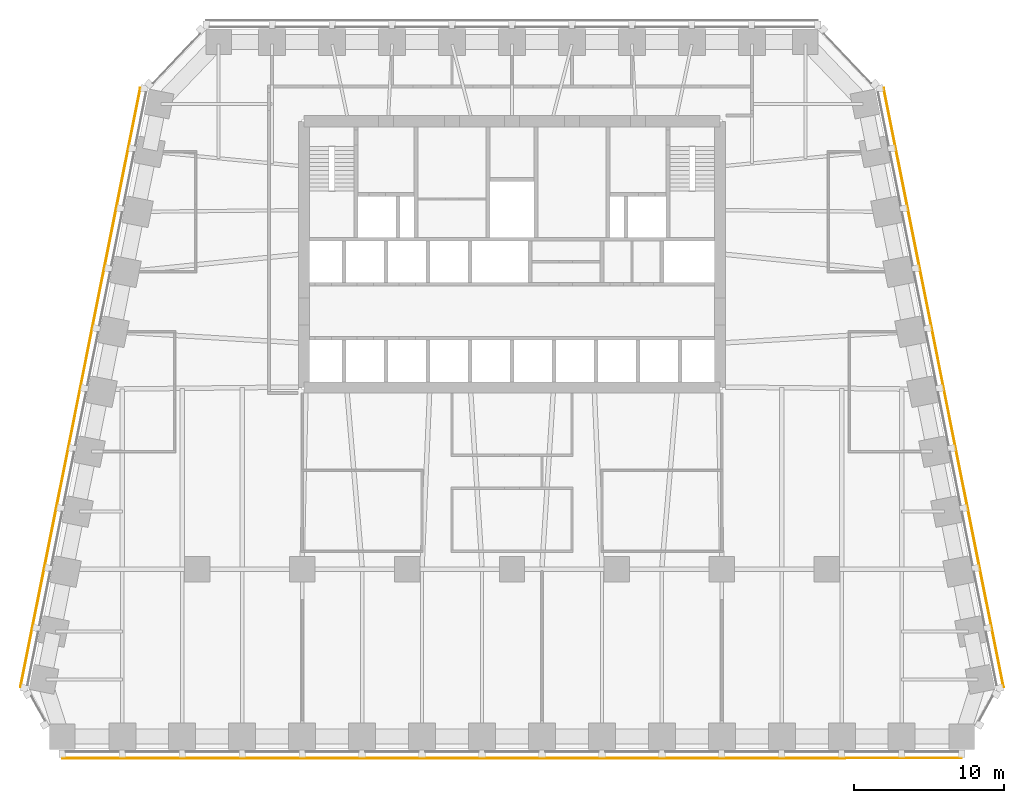
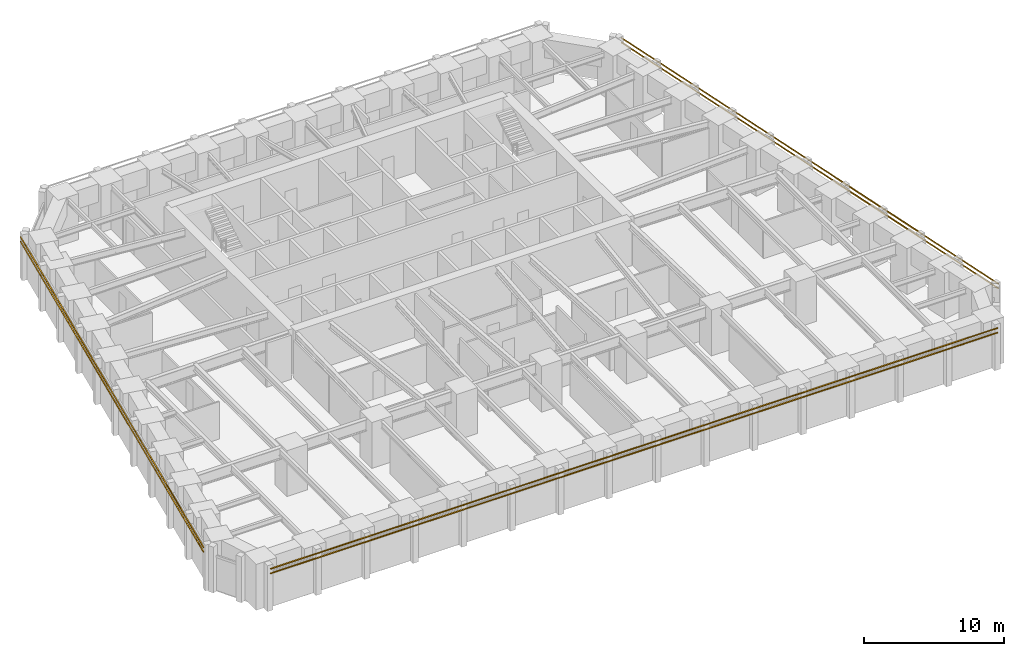
# One storey, part 9 of 10: 6 shading devices.
"""IFC4 building model written with IfcOpenShell, lengths in metres."""

import ifcopenshell
import ifcopenshell.guid

model = None  # the IFC model being written
_history = None  # IfcOwnerHistory: only IFC2X3 demands one
_inside = {}  # id of a spatial element -> (the spatial element, [elements in it])
_under = {}  # id of a project, library or spatial element -> (it, [spatial elements below it])
_declared = {}  # id of a project -> (the project, [libraries it declares])
_typed = {}  # id of a type object -> (the type object, [elements of that type])
_made_of = {}  # id of a material, layer set ... -> (it, [elements and type objects made of it])


def new_model(schema):
    """Start an empty IFC model of exactly this schema.

    Asked for "IFC4X3", IfcOpenShell would pick the latest addendum, in which some entities
    have other attributes; the version numbers below select the first issue.
    IFC2X3 requires an IfcOwnerHistory on every rooted entity: one is made here for all.
    """
    global model, _history
    if schema == "IFC4X3":
        model = ifcopenshell.file(schema_version=(4, 3, 0, 0))
    else:
        model = ifcopenshell.file(schema=schema)
    _inside.clear()
    _under.clear()
    _declared.clear()
    _typed.clear()
    _made_of.clear()
    _history = None
    if model.schema == "IFC2X3":
        org = make("IfcOrganization", Name="unknown")
        user = make(
            "IfcPersonAndOrganization",
            ThePerson=make("IfcPerson", FamilyName="unknown"),
            TheOrganization=org,
        )
        app = make(
            "IfcApplication",
            ApplicationDeveloper=org,
            Version="unknown",
            ApplicationFullName="unknown",
            ApplicationIdentifier="unknown",
        )
        _history = make(
            "IfcOwnerHistory",
            OwningUser=user,
            OwningApplication=app,
            ChangeAction="ADDED",
            CreationDate=0,
        )
    return model


def make(cls, **values):
    """One entity of the class cls with the attributes given. An attribute that is None is left unset."""
    return model.create_entity(
        cls, **{name: value for name, value in values.items() if value is not None}
    )


def rooted(cls, **values):
    """An entity with a GlobalId (a new one), such as an element, a storey or a relation."""
    return make(cls, GlobalId=ifcopenshell.guid.new(), OwnerHistory=_history, **values)


def si_unit(unit_type, name, prefix=None):
    """IfcSIUnit, for example si_unit("LENGTHUNIT", "METRE", prefix="MILLI")."""
    return make("IfcSIUnit", UnitType=unit_type, Prefix=prefix, Name=name)


def assignment(units):
    """IfcUnitAssignment: the units of a project."""
    return None if units is None else make("IfcUnitAssignment", Units=units)


def point(xyz):
    """IfcCartesianPoint."""
    return None if xyz is None else make("IfcCartesianPoint", Coordinates=xyz)


def direction(xyz):
    """IfcDirection."""
    return None if xyz is None else make("IfcDirection", DirectionRatios=xyz)


def frame(location, z_axis=None, x_axis=None):
    """IfcAxis2Placement3D, a coordinate frame: its origin and axes. An axis left out is left unset."""
    return make(
        "IfcAxis2Placement3D",
        Location=point(location),
        Axis=direction(z_axis),
        RefDirection=direction(x_axis),
    )


def frame_2d(location, x_axis=None):
    """IfcAxis2Placement2D, a coordinate frame in the plane: its origin and x axis."""
    return make(
        "IfcAxis2Placement2D", Location=point(location), RefDirection=direction(x_axis)
    )


def origin():
    """The frame at (0, 0, 0) with its axes left unset."""
    return frame((0.0, 0.0, 0.0))


def origin_2d():
    """The frame at (0, 0) in the plane with its x axis left unset."""
    return frame_2d((0.0, 0.0))


def place(relative_to, where):
    """IfcLocalPlacement: puts the frame where relative to a parent placement (None: the world)."""
    return make(
        "IfcLocalPlacement", PlacementRelTo=relative_to, RelativePlacement=where
    )


def context(
    kind, dimensions, precision=None, world=None, true_north=None, identifier=None
):
    """IfcGeometricRepresentationContext, for example the 3D "Model" context."""
    return make(
        "IfcGeometricRepresentationContext",
        ContextIdentifier=identifier,
        ContextType=kind,
        CoordinateSpaceDimension=dimensions,
        Precision=precision,
        WorldCoordinateSystem=world,
        TrueNorth=true_north,
    )


def subcontext(parent, identifier, kind, view, scale=None):
    """IfcGeometricRepresentationSubContext, for example "Body" below "Model"."""
    return make(
        "IfcGeometricRepresentationSubContext",
        ContextIdentifier=identifier,
        ContextType=kind,
        ParentContext=parent,
        TargetScale=scale,
        TargetView=view,
    )


def project(units=None, contexts=None):
    """IfcProject with its units and contexts."""
    return rooted(
        "IfcProject",
        Name="project",
        RepresentationContexts=contexts,
        UnitsInContext=assignment(units),
    )


def spatial(cls, under=None, at=None, **own):
    """A site, building, storey or space (cls), placed at a placement, below another one or the project."""
    s = rooted(cls, ObjectPlacement=at, **own)
    if under is not None:
        _under.setdefault(under.id(), (under, []))[1].append(s)
    return s


def profile(cls, at=None, kind="AREA", **sizes):
    """A parametric profile (cls). Its sizes go by their IFC names, for example OverallWidth=200.0."""
    return make(cls, ProfileType=kind, Position=at, **sizes)


def rectangle(**sizes):
    """IfcRectangleProfileDef."""
    return profile("IfcRectangleProfileDef", **sizes)


def extrude(swept, where, along, depth):
    """IfcExtrudedAreaSolid: the profile swept, set in the frame where, extruded along a direction by depth."""
    return make(
        "IfcExtrudedAreaSolid",
        SweptArea=swept,
        Position=where,
        ExtrudedDirection=direction(along),
        Depth=depth,
    )


def shape(context_of_items, identifier, shape_type, items):
    """IfcShapeRepresentation: the items that make up one representation, for example the "Body"."""
    return make(
        "IfcShapeRepresentation",
        ContextOfItems=context_of_items,
        RepresentationIdentifier=identifier,
        RepresentationType=shape_type,
        Items=items,
    )


def material(Name=None, Category=None):
    """IfcMaterial."""
    return make("IfcMaterial", Name=Name, Category=Category)


def material_profile(
    of_material, cross_section, Name=None, Category=None, Priority=None
):
    """IfcMaterialProfile: a cross section and its material."""
    return make(
        "IfcMaterialProfile",
        Name=Name,
        Material=of_material,
        Profile=cross_section,
        Priority=Priority,
        Category=Category,
    )


def profile_set(profiles, Name=None, composite=None):
    """IfcMaterialProfileSet."""
    return make(
        "IfcMaterialProfileSet",
        Name=Name,
        MaterialProfiles=profiles,
        CompositeProfile=composite,
    )


def made_of(thing, what):
    """Note that an element or type object is made of a material, layer set ...; save() writes the relation."""
    if what is not None:
        _made_of.setdefault(what.id(), (what, []))[1].append(thing)
    return thing


def type_object(cls, material=None, **own):
    """A type object (cls), such as IfcWallType, which elements share."""
    return made_of(rooted(cls, **own), material)


def element(
    cls,
    number,
    at=None,
    inside=None,
    cuts=None,
    type_object=None,
    material=None,
    context=None,
    identifier="Body",
    shape_type=None,
    held_by="IfcProductDefinitionShape",
    body=None,
    shapes=None,
    **own,
):
    """One element of the class cls, such as IfcWall. Its Tag is "e" and its number.

    at: its placement. inside: the storey or other place that contains it. cuts: it is an
    opening in that element (IfcRelVoidsElement). A single representation is given by context,
    identifier, shape_type and body (its items); several are given by shapes. held_by: the class
    of the entity that holds the representations. save() writes the other relations.
    """
    e = rooted(cls, Tag="e%d" % number, ObjectPlacement=at, **own)
    if body is not None:
        shapes = [shape(context, identifier, shape_type, body)]
    if shapes is not None:
        e.Representation = make(held_by, Representations=shapes)
    if inside is not None:
        _inside.setdefault(inside.id(), (inside, []))[1].append(e)
    if cuts is not None:
        rooted(
            "IfcRelVoidsElement", RelatingBuildingElement=cuts, RelatedOpeningElement=e
        )
    if type_object is not None:
        _typed.setdefault(type_object.id(), (type_object, []))[1].append(e)
    return made_of(e, material)


def aggregate(whole, parts):
    """IfcRelAggregates: a whole, such as a stair, and the parts it consists of."""
    return rooted("IfcRelAggregates", RelatingObject=whole, RelatedObjects=parts)


def save(model, path):
    """Write the relations noted so far, then the file.

    IfcRelAggregates (storeys below a building ...), IfcRelContainedInSpatialStructure (elements
    in a storey), IfcRelDefinesByType, IfcRelAssociatesMaterial and IfcRelDeclares: one each for
    every whole, place, type object, material and project.
    """
    for whole, parts in _under.values():
        aggregate(whole, parts)
    for where, things in _inside.values():
        rooted(
            "IfcRelContainedInSpatialStructure",
            RelatedElements=things,
            RelatingStructure=where,
        )
    for kind, things in _typed.values():
        rooted("IfcRelDefinesByType", RelatedObjects=things, RelatingType=kind)
    for what, things in _made_of.values():
        rooted("IfcRelAssociatesMaterial", RelatedObjects=things, RelatingMaterial=what)
    for by, libraries in _declared.values():
        rooted("IfcRelDeclares", RelatingContext=by, RelatedDefinitions=libraries)
    model.write(path)


model = new_model("IFC4")

# Units and contexts
model_context = context("Model", 3, precision=1e-05, world=origin(), true_north=direction((0.0, 1.0)))
body_context = subcontext(model_context, "Body", "Model", "MODEL_VIEW")
ifc_project = project(units=[si_unit("LENGTHUNIT", "METRE"), si_unit("AREAUNIT", "SQUARE_METRE"), si_unit("VOLUMEUNIT", "CUBIC_METRE"), si_unit("PLANEANGLEUNIT", "RADIAN"), si_unit("MASSUNIT", "GRAM", prefix="KILO")], contexts=[model_context])

# Site, building, storey
site_placement = place(None, origin())
site = spatial("IfcSite", under=ifc_project, at=site_placement, CompositionType="ELEMENT")
building_placement = place(site_placement, origin())
building = spatial("IfcBuilding", under=site, at=building_placement, Name="Isbrekke Arena Tower", CompositionType="ELEMENT")
storey_placement = place(building_placement, frame((0.0, 0.0, 147.0)))
storey = spatial("IfcBuildingStorey", under=building, at=storey_placement, Name="L33", CompositionType="ELEMENT", Elevation=147.0)

# Shading devices
ifc_material = material(Name="Terracotta", Category="masonry")
ifc_material_profile = material_profile(ifc_material, rectangle(XDim=0.06005859375, YDim=0.06005859375, at=origin_2d()), Name="BAGUETTE 60X60")
ifc_profile_set = profile_set([ifc_material_profile], Name="Terracotta")
shading_device_type = type_object("IfcShadingDeviceType", Name="BG1 TERRACOTTA BAGUETTE 60 x 60", PredefinedType="USERDEFINED", material=ifc_profile_set)
for number, where, z_axis, x_axis, name in (
    (1, (-30.0, -18.60498046875, 3.280029296875), (1.0, 0.0, 0.0), (0.0, 1.0, 0.0), "BG1 terracotta baguette S1 L33"),
    (2, (-30.0, -18.60498046875, 3.679931640625), (1.0, 0.0, 0.0), (0.0, 1.0, 0.0), "BG1 terracotta baguette S2 L33"),
):
    element("IfcShadingDevice", number, at=place(storey_placement, frame(where, z_axis=z_axis, x_axis=x_axis)), inside=storey, type_object=shading_device_type, Name=name, ObjectType="TERRACOTTA BAGUETTE", PredefinedType="USERDEFINED", context=body_context, shape_type="SweptSolid", body=[
        extrude(rectangle(XDim=0.06005859375, YDim=0.06005859375, at=origin_2d()), origin(), (0.0, 0.0, 1.0), 60.0),
    ])
for number, where, z_axis, x_axis, name in (
    (3, (32.793212890625, -13.88134765625, 3.280029296875), (-0.196116135138, 0.980580675691, 0.0), (-0.980580675691, -0.196116135138, 0.0), "BG1 terracotta baguette E1 L33"),
    (4, (32.793212890625, -13.88134765625, 3.679931640625), (-0.196116135138, 0.980580675691, 0.0), (-0.980580675691, -0.196116135138, 0.0), "BG1 terracotta baguette E2 L33"),
    (5, (-24.793212890625, 26.11865234375, 3.280029296875), (-0.196116135138, -0.980580675691, 0.0), (0.980580675691, -0.196116135138, 0.0), "BG1 terracotta baguette W1 L33"),
    (6, (-24.793212890625, 26.11865234375, 3.679931640625), (-0.196116135138, -0.980580675691, 0.0), (0.980580675691, -0.196116135138, 0.0), "BG1 terracotta baguette W2 L33"),
):
    element("IfcShadingDevice", number, at=place(storey_placement, frame(where, z_axis=z_axis, x_axis=x_axis)), inside=storey, type_object=shading_device_type, Name=name, ObjectType="TERRACOTTA BAGUETTE", PredefinedType="USERDEFINED", context=body_context, shape_type="SweptSolid", body=[
        extrude(rectangle(XDim=0.06005859375, YDim=0.06005859375, at=origin_2d()), origin(), (0.0, 0.0, 1.0), 40.792236328125),
    ])

save(model, "model.ifc")
